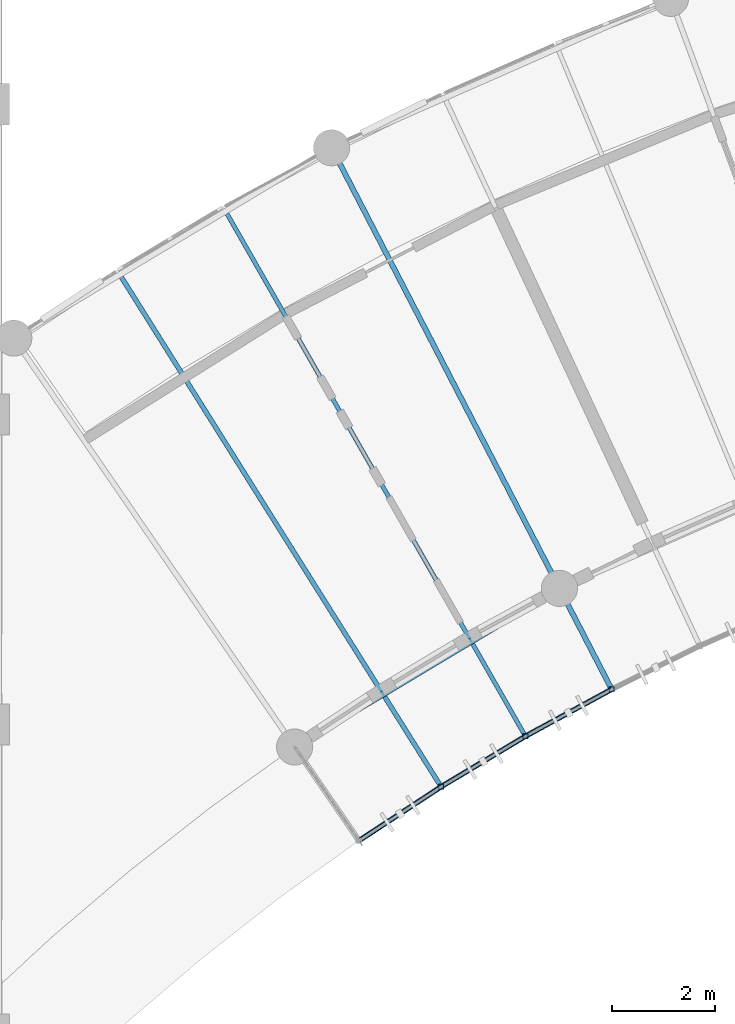
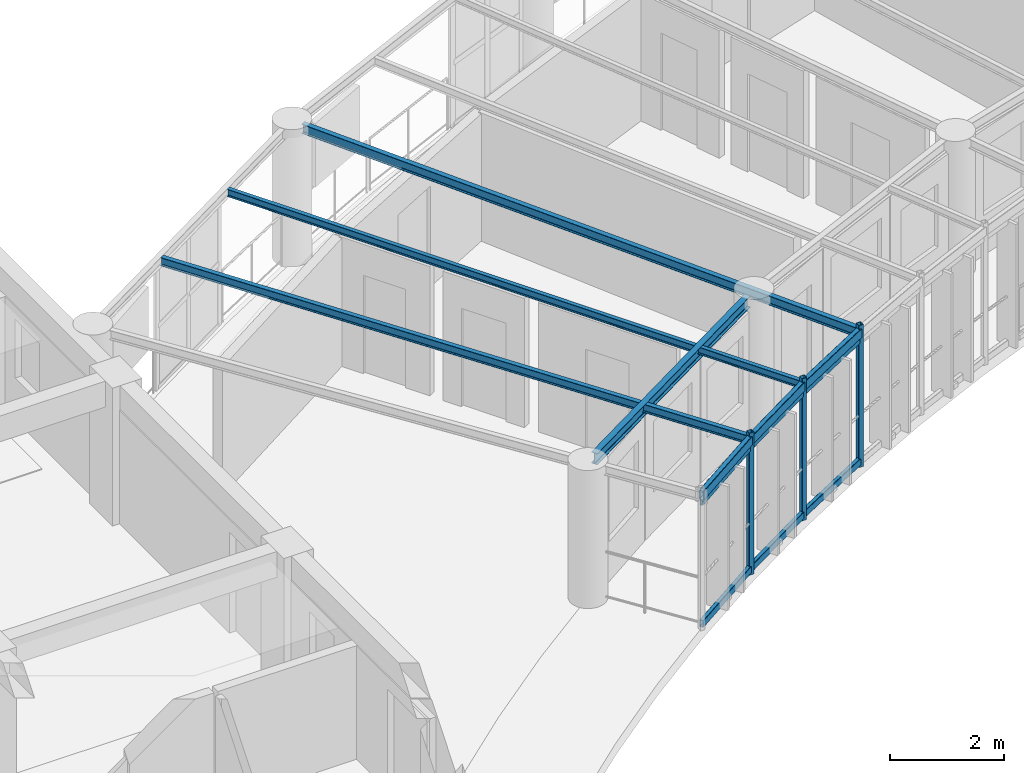
# One storey, part 46 of 137: 9 members, 7 beams.
"""IFC4 building model written with IfcOpenShell, lengths in metres."""

from ifc_helpers import new_model, si_unit, direction, frame, origin, origin_2d, place, context, subcontext, project, spatial, hollow_rectangle, i_section, extrude, material, material_profile, profile_set, type_object, element, save


model = new_model("IFC4")

# Units and contexts
model_context = context("Model", 3, precision=1e-05, world=origin(), true_north=direction((0.0, 1.0)))
body_context = subcontext(model_context, "Body", "Model", "MODEL_VIEW")
ifc_project = project(units=[si_unit("LENGTHUNIT", "METRE"), si_unit("AREAUNIT", "SQUARE_METRE"), si_unit("VOLUMEUNIT", "CUBIC_METRE"), si_unit("PLANEANGLEUNIT", "RADIAN"), si_unit("MASSUNIT", "GRAM", prefix="KILO"), si_unit("POWERUNIT", "WATT"), si_unit("THERMODYNAMICTEMPERATUREUNIT", "KELVIN")], contexts=[model_context])

# Site, building, storey
site_placement = place(None, origin())
site = spatial("IfcSite", under=ifc_project, at=site_placement, CompositionType="ELEMENT")
building_placement = place(site_placement, origin())
building = spatial("IfcBuilding", under=site, at=building_placement, Name="Ruvembo Vaulted Housing Court", CompositionType="ELEMENT")
storey_placement = place(building_placement, frame((0.0, 0.0, 4.5)))
storey = spatial("IfcBuildingStorey", under=building, at=storey_placement, Name="L01", CompositionType="ELEMENT", Elevation=4.5)

# Beams
ifc_material = material(Name="Steel S355J2", Category="steel")
ifc_material_profile_1 = material_profile(ifc_material, i_section(OverallWidth=0.08203125, OverallDepth=0.159912109375, WebThickness=0.0048828125, FlangeThickness=0.00732421875, FilletRadius=0.009033203125, at=origin_2d()), Name="IPE 160")
ifc_profile_set_1 = profile_set([ifc_material_profile_1], Name="Steel S355J2")
beam_type_1 = type_object("IfcBeamType", Name="BM-ST-IPE160", PredefinedType="JOIST", material=ifc_profile_set_1)
beam_1_placement = place(storey_placement, frame((88.509521484375, 99.888916015625, 2.860107421875), z_axis=(0.495907280655, -0.868375476965, 0.0), x_axis=(0.868375476965, 0.495907280655, 0.0)))
element("IfcBeam", 1, at=beam_1_placement, inside=storey, type_object=beam_type_1, Name="Scoop SC3 L01 Radial Steel Joist 2", PredefinedType="JOIST", context=body_context, shape_type="SweptSolid", body=[
    extrude(i_section(OverallWidth=0.08203125, OverallDepth=0.159912109375, WebThickness=0.0048828125, FlangeThickness=0.00732421875, FilletRadius=0.009033203125, at=origin_2d()), origin(), (0.0, 0.0, 1.0), 11.69091796875),
])
ifc_material_profile_2 = material_profile(ifc_material, i_section(OverallWidth=0.091064453125, OverallDepth=0.179931640625, WebThickness=0.00537109375, FlangeThickness=0.008056640625, FilletRadius=0.009033203125, at=origin_2d()), Name="IPE 180")
ifc_profile_set_2 = profile_set([ifc_material_profile_2], Name="Steel S355J2")
beam_type_2 = type_object("IfcBeamType", Name="BM-ST-IPE180", PredefinedType="JOIST", material=ifc_profile_set_2)
beam_2_placement = place(storey_placement, frame((86.4638671875, 98.66357421875, 2.85009765625), z_axis=(0.531511049351, -0.847051358784, 0.0), x_axis=(0.847051358784, 0.531511049351, 0.0)))
element("IfcBeam", 2, at=beam_2_placement, inside=storey, type_object=beam_type_2, Name="Scoop SC3 L01 Radial Steel Joist 1", PredefinedType="JOIST", context=body_context, shape_type="SweptSolid", body=[
    extrude(i_section(OverallWidth=0.091064453125, OverallDepth=0.179931640625, WebThickness=0.00537109375, FlangeThickness=0.008056640625, FilletRadius=0.009033203125, at=origin_2d()), origin(), (0.0, 0.0, 1.0), 11.69091796875),
])
ifc_material_profile_3 = material_profile(ifc_material, i_section(OverallWidth=0.10009765625, OverallDepth=0.199951171875, WebThickness=0.005615234375, FlangeThickness=0.008544921875, FilletRadius=0.011962890625, at=origin_2d()), Name="IPE 200")
ifc_profile_set_3 = profile_set([ifc_material_profile_3], Name="Steel S355J2")
beam_type_3 = type_object("IfcBeamType", Name="BM-ST-IPE200", PredefinedType="BEAM", material=ifc_profile_set_3)
beam_3_placement = place(storey_placement, frame((90.6416015625, 100.956298828125, 2.840087890625), z_axis=(0.459452094215, -0.888202551855, 0.0), x_axis=(0.888202551855, 0.459452094215, 0.0)))
element("IfcBeam", 3, at=beam_3_placement, inside=storey, type_object=beam_type_3, Name="Scoop SC3 L01 Radial Steel Joist 3", PredefinedType="BEAM", context=body_context, shape_type="SweptSolid", body=[
    extrude(i_section(OverallWidth=0.10009765625, OverallDepth=0.199951171875, WebThickness=0.005615234375, FlangeThickness=0.008544921875, FilletRadius=0.011962890625, at=origin_2d()), origin(), (0.0, 0.0, 1.0), 11.60986328125),
])
ifc_material_profile_4 = material_profile(ifc_material, i_section(OverallWidth=0.1201171875, OverallDepth=0.239990234375, WebThickness=0.006103515625, FlangeThickness=0.009765625, FilletRadius=0.014892578125, at=origin_2d()), Name="IPE 240")
ifc_profile_set_4 = profile_set([ifc_material_profile_4], Name="Steel S355J2")
beam_type_4 = type_object("IfcBeamType", Name="BM-ST-IPE240", PredefinedType="BEAM", material=ifc_profile_set_4)
beam_4_placement = place(storey_placement, frame((90.01904296875, 89.6826171875, 2.822021484375), z_axis=(0.857902883734, 0.513811874212, 0.0), x_axis=(-0.513811874212, 0.857902883734, 0.0)))
element("IfcBeam", 4, at=beam_4_placement, inside=storey, type_object=beam_type_4, Name="Scoop SC3 L01 Chord Girder F0", PredefinedType="BEAM", context=body_context, shape_type="SweptSolid", body=[
    extrude(i_section(OverallWidth=0.1201171875, OverallDepth=0.239990234375, WebThickness=0.006103515625, FlangeThickness=0.009765625, FilletRadius=0.014892578125, at=origin_2d()), origin(), (0.0, 0.0, 1.0), 5.513671875),
])
ifc_material_profile_5 = material_profile(ifc_material, hollow_rectangle(XDim=0.10009765625, YDim=0.199951171875, WallThickness=0.008056640625, InnerFilletRadius=0.008056640625, OuterFilletRadius=0.01611328125, at=origin_2d()), Name="RHS 200x100x8")
ifc_profile_set_5 = profile_set([ifc_material_profile_5], Name="Steel S355J2")
beam_type_5 = type_object("IfcBeamType", Name="BM-ST-RHS200", PredefinedType="SPANDREL", material=ifc_profile_set_5)
for number, where, z_axis, x_axis, name in (
    (5, (91.0673828125, 87.751220703125, 2.840087890625), (0.835902452778, 0.548878027834, 0.0), (-0.548878027834, 0.835902452778, 0.0), "Scoop SC3 L01 Balcony Edge Spandrel 0"),
    (6, (92.656494140625, 88.794677734375, 2.840087890625), (0.857889282303, 0.513834583607, 0.0), (-0.513834583607, 0.857889282303, 0.0), "Scoop SC3 L01 Balcony Edge Spandrel 1"),
    (7, (94.287353515625, 89.771484375, 2.840087890625), (0.878513214386, 0.477718046706, 0.0), (-0.477718046706, 0.878513214386, 0.0), "Scoop SC3 L01 Balcony Edge Spandrel 2"),
):
    element("IfcBeam", number, at=place(storey_placement, frame(where, z_axis=z_axis, x_axis=x_axis)), inside=storey, type_object=beam_type_5, Name=name, PredefinedType="SPANDREL", context=body_context, shape_type="SweptSolid", body=[
        extrude(hollow_rectangle(XDim=0.10009765625, YDim=0.199951171875, WallThickness=0.008056640625, InnerFilletRadius=0.008056640625, OuterFilletRadius=0.01611328125, at=origin_2d()), origin(), (0.0, 0.0, 1.0), 1.901123046875),
    ])

# Members
ifc_material_profile_6 = material_profile(ifc_material, hollow_rectangle(XDim=0.06005859375, YDim=0.1201171875, WallThickness=0.0048828125, InnerFilletRadius=0.0048828125, OuterFilletRadius=0.010009765625, at=origin_2d()), Name="RHS 120x60x5")
ifc_profile_set_6 = profile_set([ifc_material_profile_6], Name="Steel S355J2")
member_type_1 = type_object("IfcMemberType", Name="MEM-CAR-RHS120", PredefinedType="CHORD", material=ifc_profile_set_6)
for number, where, z_axis, x_axis, name in (
    (8, (91.0673828125, 87.751220703125, 2.68310546875), (0.835902452778, 0.548878027834, 0.0), (-0.548878027834, 0.835902452778, 0.0), "Scoop SC3 L01 Upper Louvre Carrier Rail 0"),
    (9, (92.656494140625, 88.794677734375, 2.68310546875), (0.857889282303, 0.513834583607, 0.0), (-0.513834583607, 0.857889282303, 0.0), "Scoop SC3 L01 Upper Louvre Carrier Rail 1"),
    (10, (94.287353515625, 89.771484375, 2.68310546875), (0.878513214386, 0.477718046706, 0.0), (-0.477718046706, 0.878513214386, 0.0), "Scoop SC3 L01 Upper Louvre Carrier Rail 2"),
):
    element("IfcMember", number, at=place(storey_placement, frame(where, z_axis=z_axis, x_axis=x_axis)), inside=storey, type_object=member_type_1, Name=name, PredefinedType="CHORD", context=body_context, shape_type="SweptSolid", body=[
        extrude(hollow_rectangle(XDim=0.06005859375, YDim=0.1201171875, WallThickness=0.0048828125, InnerFilletRadius=0.0048828125, OuterFilletRadius=0.010009765625, at=origin_2d()), origin(), (0.0, 0.0, 1.0), 1.901123046875),
    ])
ifc_material_profile_7 = material_profile(ifc_material, hollow_rectangle(XDim=0.080078125, YDim=0.14990234375, WallThickness=0.00634765625, InnerFilletRadius=0.00634765625, OuterFilletRadius=0.0126953125, at=origin_2d()), Name="RHS 150x80x6.3")
ifc_profile_set_7 = profile_set([ifc_material_profile_7], Name="Steel S355J2")
member_type_2 = type_object("IfcMemberType", Name="MEM-CAR-RHS150", PredefinedType="CHORD", material=ifc_profile_set_7)
for number, where, z_axis, x_axis, name in (
    (11, (91.0673828125, 87.751220703125, 0.094970703125), (0.835902452778, 0.548878027834, 0.0), (-0.548878027834, 0.835902452778, 0.0), "Scoop SC3 L01 Lower Louvre Carrier Rail 0"),
    (12, (92.656494140625, 88.794677734375, 0.094970703125), (0.857889282303, 0.513834583607, 0.0), (-0.513834583607, 0.857889282303, 0.0), "Scoop SC3 L01 Lower Louvre Carrier Rail 1"),
    (13, (94.287353515625, 89.771484375, 0.094970703125), (0.878513214386, 0.477718046706, 0.0), (-0.477718046706, 0.878513214386, 0.0), "Scoop SC3 L01 Lower Louvre Carrier Rail 2"),
):
    element("IfcMember", number, at=place(storey_placement, frame(where, z_axis=z_axis, x_axis=x_axis)), inside=storey, type_object=member_type_2, Name=name, PredefinedType="CHORD", context=body_context, shape_type="SweptSolid", body=[
        extrude(hollow_rectangle(XDim=0.080078125, YDim=0.14990234375, WallThickness=0.00634765625, InnerFilletRadius=0.00634765625, OuterFilletRadius=0.0126953125, at=origin_2d()), origin(), (0.0, 0.0, 1.0), 1.901123046875),
    ])
ifc_material_profile_8 = material_profile(ifc_material, hollow_rectangle(XDim=0.10009765625, YDim=0.10009765625, WallThickness=0.00634765625, InnerFilletRadius=0.00634765625, OuterFilletRadius=0.0126953125, at=origin_2d()), Name="SHS 100x100x6.3")
ifc_profile_set_8 = profile_set([ifc_material_profile_8], Name="Steel S355J2")
member_type_3 = type_object("IfcMemberType", Name="MEM-FRM-SHS100", PredefinedType="STRUT", material=ifc_profile_set_8)
for number, where, z_axis, x_axis, name in (
    (14, (92.656494140625, 88.794677734375, -0.014892578125), (0.0, 0.0, 1.0), (1.0, 0.0, 0.0), "Scoop SC3 L01 Louvre Frame Post 1"),
    (15, (94.287353515625, 89.771484375, -0.014892578125), (0.0, 0.0, 1.0), (1.0, 0.0, 0.0), "Scoop SC3 L01 Louvre Frame Post 2"),
    (16, (95.95751953125, 90.6796875, -0.014892578125), (0.0, 0.0, 1.0), (1.0, 0.0, 0.0), "Scoop SC3 L01 Louvre Frame Post 3"),
):
    element("IfcMember", number, at=place(storey_placement, frame(where, z_axis=z_axis, x_axis=x_axis)), inside=storey, type_object=member_type_3, Name=name, PredefinedType="STRUT", context=body_context, shape_type="SweptSolid", body=[
        extrude(hollow_rectangle(XDim=0.10009765625, YDim=0.10009765625, WallThickness=0.00634765625, InnerFilletRadius=0.00634765625, OuterFilletRadius=0.0126953125, at=origin_2d()), origin(), (0.0, 0.0, 1.0), 3.032958984375),
    ])

save(model, "model.ifc")
